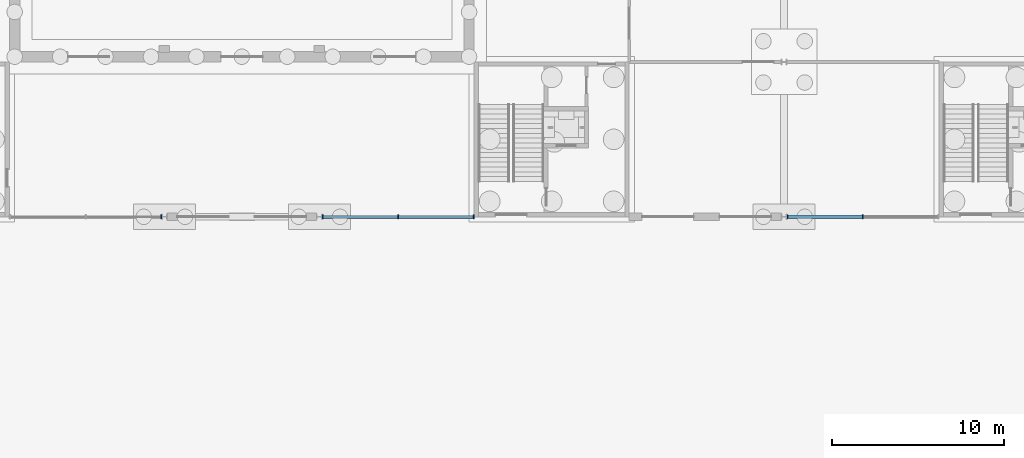
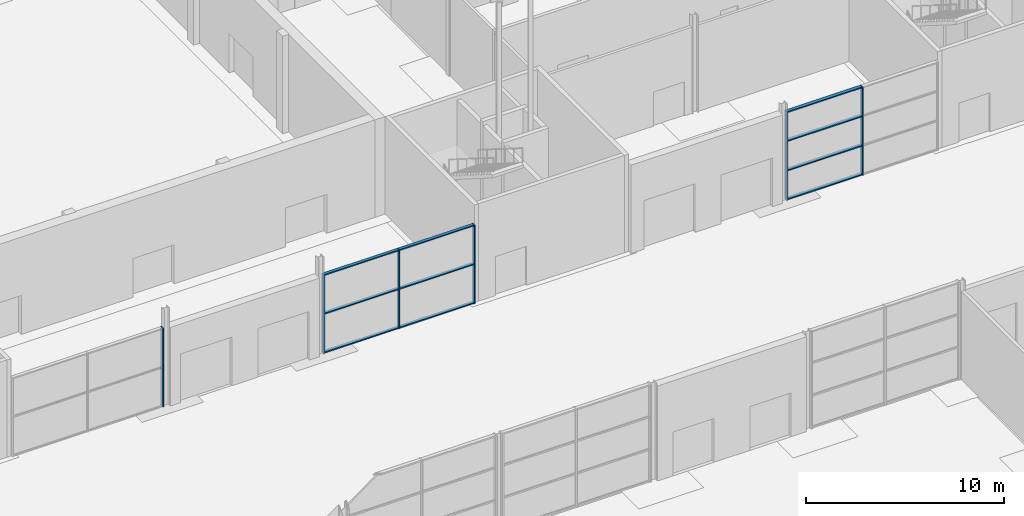
# One storey, part 49 of 97: 16 members, 3 elements without a shape of their own.
"""IFC4 building model written with IfcOpenShell, lengths in metres."""

import ifcopenshell
import ifcopenshell.guid

model = None  # the IFC model being written
_history = None  # IfcOwnerHistory: only IFC2X3 demands one
_inside = {}  # id of a spatial element -> (the spatial element, [elements in it])
_under = {}  # id of a project, library or spatial element -> (it, [spatial elements below it])
_declared = {}  # id of a project -> (the project, [libraries it declares])
_typed = {}  # id of a type object -> (the type object, [elements of that type])
_made_of = {}  # id of a material, layer set ... -> (it, [elements and type objects made of it])


def new_model(schema):
    """Start an empty IFC model of exactly this schema.

    Asked for "IFC4X3", IfcOpenShell would pick the latest addendum, in which some entities
    have other attributes; the version numbers below select the first issue.
    IFC2X3 requires an IfcOwnerHistory on every rooted entity: one is made here for all.
    """
    global model, _history
    if schema == "IFC4X3":
        model = ifcopenshell.file(schema_version=(4, 3, 0, 0))
    else:
        model = ifcopenshell.file(schema=schema)
    _inside.clear()
    _under.clear()
    _declared.clear()
    _typed.clear()
    _made_of.clear()
    _history = None
    if model.schema == "IFC2X3":
        org = make("IfcOrganization", Name="unknown")
        user = make(
            "IfcPersonAndOrganization",
            ThePerson=make("IfcPerson", FamilyName="unknown"),
            TheOrganization=org,
        )
        app = make(
            "IfcApplication",
            ApplicationDeveloper=org,
            Version="unknown",
            ApplicationFullName="unknown",
            ApplicationIdentifier="unknown",
        )
        _history = make(
            "IfcOwnerHistory",
            OwningUser=user,
            OwningApplication=app,
            ChangeAction="ADDED",
            CreationDate=0,
        )
    return model


def make(cls, **values):
    """One entity of the class cls with the attributes given. An attribute that is None is left unset."""
    return model.create_entity(
        cls, **{name: value for name, value in values.items() if value is not None}
    )


def rooted(cls, **values):
    """An entity with a GlobalId (a new one), such as an element, a storey or a relation."""
    return make(cls, GlobalId=ifcopenshell.guid.new(), OwnerHistory=_history, **values)


def si_unit(unit_type, name, prefix=None):
    """IfcSIUnit, for example si_unit("LENGTHUNIT", "METRE", prefix="MILLI")."""
    return make("IfcSIUnit", UnitType=unit_type, Prefix=prefix, Name=name)


def assignment(units):
    """IfcUnitAssignment: the units of a project."""
    return None if units is None else make("IfcUnitAssignment", Units=units)


def point(xyz):
    """IfcCartesianPoint."""
    return None if xyz is None else make("IfcCartesianPoint", Coordinates=xyz)


def direction(xyz):
    """IfcDirection."""
    return None if xyz is None else make("IfcDirection", DirectionRatios=xyz)


def frame(location, z_axis=None, x_axis=None):
    """IfcAxis2Placement3D, a coordinate frame: its origin and axes. An axis left out is left unset."""
    return make(
        "IfcAxis2Placement3D",
        Location=point(location),
        Axis=direction(z_axis),
        RefDirection=direction(x_axis),
    )


def frame_2d(location, x_axis=None):
    """IfcAxis2Placement2D, a coordinate frame in the plane: its origin and x axis."""
    return make(
        "IfcAxis2Placement2D", Location=point(location), RefDirection=direction(x_axis)
    )


def origin():
    """The frame at (0, 0, 0) with its axes left unset."""
    return frame((0.0, 0.0, 0.0))


def origin_2d():
    """The frame at (0, 0) in the plane with its x axis left unset."""
    return frame_2d((0.0, 0.0))


def place(relative_to, where):
    """IfcLocalPlacement: puts the frame where relative to a parent placement (None: the world)."""
    return make(
        "IfcLocalPlacement", PlacementRelTo=relative_to, RelativePlacement=where
    )


def context(
    kind, dimensions, precision=None, world=None, true_north=None, identifier=None
):
    """IfcGeometricRepresentationContext, for example the 3D "Model" context."""
    return make(
        "IfcGeometricRepresentationContext",
        ContextIdentifier=identifier,
        ContextType=kind,
        CoordinateSpaceDimension=dimensions,
        Precision=precision,
        WorldCoordinateSystem=world,
        TrueNorth=true_north,
    )


def subcontext(parent, identifier, kind, view, scale=None):
    """IfcGeometricRepresentationSubContext, for example "Body" below "Model"."""
    return make(
        "IfcGeometricRepresentationSubContext",
        ContextIdentifier=identifier,
        ContextType=kind,
        ParentContext=parent,
        TargetScale=scale,
        TargetView=view,
    )


def project(units=None, contexts=None):
    """IfcProject with its units and contexts."""
    return rooted(
        "IfcProject",
        Name="project",
        RepresentationContexts=contexts,
        UnitsInContext=assignment(units),
    )


def spatial(cls, under=None, at=None, **own):
    """A site, building, storey or space (cls), placed at a placement, below another one or the project."""
    s = rooted(cls, ObjectPlacement=at, **own)
    if under is not None:
        _under.setdefault(under.id(), (under, []))[1].append(s)
    return s


def profile(cls, at=None, kind="AREA", **sizes):
    """A parametric profile (cls). Its sizes go by their IFC names, for example OverallWidth=200.0."""
    return make(cls, ProfileType=kind, Position=at, **sizes)


def rectangle(**sizes):
    """IfcRectangleProfileDef."""
    return profile("IfcRectangleProfileDef", **sizes)


def extrude(swept, where, along, depth):
    """IfcExtrudedAreaSolid: the profile swept, set in the frame where, extruded along a direction by depth."""
    return make(
        "IfcExtrudedAreaSolid",
        SweptArea=swept,
        Position=where,
        ExtrudedDirection=direction(along),
        Depth=depth,
    )


def shape(context_of_items, identifier, shape_type, items):
    """IfcShapeRepresentation: the items that make up one representation, for example the "Body"."""
    return make(
        "IfcShapeRepresentation",
        ContextOfItems=context_of_items,
        RepresentationIdentifier=identifier,
        RepresentationType=shape_type,
        Items=items,
    )


def material(Name=None, Category=None):
    """IfcMaterial."""
    return make("IfcMaterial", Name=Name, Category=Category)


def layer(
    of_material, thickness, ventilated=None, Name=None, Category=None, Priority=None
):
    """IfcMaterialLayer: one layer of a wall or slab, of a material (None: an air gap)."""
    return make(
        "IfcMaterialLayer",
        Material=of_material,
        LayerThickness=thickness,
        IsVentilated=ventilated,
        Name=Name,
        Category=Category,
        Priority=Priority,
    )


def layer_set(layers, Name=None):
    """IfcMaterialLayerSet."""
    return make("IfcMaterialLayerSet", MaterialLayers=layers, LayerSetName=Name)


def material_profile(
    of_material, cross_section, Name=None, Category=None, Priority=None
):
    """IfcMaterialProfile: a cross section and its material."""
    return make(
        "IfcMaterialProfile",
        Name=Name,
        Material=of_material,
        Profile=cross_section,
        Priority=Priority,
        Category=Category,
    )


def profile_set(profiles, Name=None, composite=None):
    """IfcMaterialProfileSet."""
    return make(
        "IfcMaterialProfileSet",
        Name=Name,
        MaterialProfiles=profiles,
        CompositeProfile=composite,
    )


def made_of(thing, what):
    """Note that an element or type object is made of a material, layer set ...; save() writes the relation."""
    if what is not None:
        _made_of.setdefault(what.id(), (what, []))[1].append(thing)
    return thing


def type_object(cls, material=None, **own):
    """A type object (cls), such as IfcWallType, which elements share."""
    return made_of(rooted(cls, **own), material)


def element(
    cls,
    number,
    at=None,
    inside=None,
    cuts=None,
    type_object=None,
    material=None,
    context=None,
    identifier="Body",
    shape_type=None,
    held_by="IfcProductDefinitionShape",
    body=None,
    shapes=None,
    **own,
):
    """One element of the class cls, such as IfcWall. Its Tag is "e" and its number.

    at: its placement. inside: the storey or other place that contains it. cuts: it is an
    opening in that element (IfcRelVoidsElement). A single representation is given by context,
    identifier, shape_type and body (its items); several are given by shapes. held_by: the class
    of the entity that holds the representations. save() writes the other relations.
    """
    e = rooted(cls, Tag="e%d" % number, ObjectPlacement=at, **own)
    if body is not None:
        shapes = [shape(context, identifier, shape_type, body)]
    if shapes is not None:
        e.Representation = make(held_by, Representations=shapes)
    if inside is not None:
        _inside.setdefault(inside.id(), (inside, []))[1].append(e)
    if cuts is not None:
        rooted(
            "IfcRelVoidsElement", RelatingBuildingElement=cuts, RelatedOpeningElement=e
        )
    if type_object is not None:
        _typed.setdefault(type_object.id(), (type_object, []))[1].append(e)
    return made_of(e, material)


def aggregate(whole, parts):
    """IfcRelAggregates: a whole, such as a stair, and the parts it consists of."""
    return rooted("IfcRelAggregates", RelatingObject=whole, RelatedObjects=parts)


def save(model, path):
    """Write the relations noted so far, then the file.

    IfcRelAggregates (storeys below a building ...), IfcRelContainedInSpatialStructure (elements
    in a storey), IfcRelDefinesByType, IfcRelAssociatesMaterial and IfcRelDeclares: one each for
    every whole, place, type object, material and project.
    """
    for whole, parts in _under.values():
        aggregate(whole, parts)
    for where, things in _inside.values():
        rooted(
            "IfcRelContainedInSpatialStructure",
            RelatedElements=things,
            RelatingStructure=where,
        )
    for kind, things in _typed.values():
        rooted("IfcRelDefinesByType", RelatedObjects=things, RelatingType=kind)
    for what, things in _made_of.values():
        rooted("IfcRelAssociatesMaterial", RelatedObjects=things, RelatingMaterial=what)
    for by, libraries in _declared.values():
        rooted("IfcRelDeclares", RelatingContext=by, RelatedDefinitions=libraries)
    model.write(path)


model = new_model("IFC4")

# Units and contexts
model_context = context("Model", 3, precision=1e-05, world=origin(), true_north=direction((0.0, 1.0)))
body_context = subcontext(model_context, "Body", "Model", "MODEL_VIEW")
ifc_project = project(units=[si_unit("LENGTHUNIT", "METRE"), si_unit("AREAUNIT", "SQUARE_METRE"), si_unit("VOLUMEUNIT", "CUBIC_METRE"), si_unit("PLANEANGLEUNIT", "RADIAN"), si_unit("MASSUNIT", "GRAM", prefix="KILO")], contexts=[model_context])

# Site, building, storey
site_placement = place(None, origin())
site = spatial("IfcSite", under=ifc_project, at=site_placement, CompositionType="ELEMENT")
building_placement = place(site_placement, origin())
building = spatial("IfcBuilding", under=site, at=building_placement, Name="Corbel Yard City Hall", CompositionType="ELEMENT")
storey_placement = place(building_placement, origin())
storey = spatial("IfcBuildingStorey", under=building, at=storey_placement, Name="L00", CompositionType="ELEMENT", Elevation=0.0)

# Curtain wall, members
ifc_material = material(Name="Aluminium extrusion", Category="aluminium")
ifc_layer_1 = layer(ifc_material, 0.25)
ifc_layer_set_1 = layer_set([ifc_layer_1], Name="Aluminium extrusion")
curtain_wall_type_1 = type_object("IfcCurtainWallType", Name="CW4", PredefinedType="USERDEFINED", material=ifc_layer_set_1)
curtain_wall_1_placement = place(storey_placement, origin())
curtain_wall_1 = element("IfcCurtainWall", 1, at=curtain_wall_1_placement, inside=storey, type_object=curtain_wall_type_1, Name="Curtain wall CW4 L00", ObjectType="CURTAIN WALL", PredefinedType="USERDEFINED")
ifc_material_profile_1 = material_profile(ifc_material, rectangle(XDim=0.25, YDim=0.06494140625, at=origin_2d()), Name="250x65")
ifc_profile_set_1 = profile_set([ifc_material_profile_1], Name="Aluminium extrusion")
member_type_1 = type_object("IfcMemberType", Name="ML4", PredefinedType="MULLION", material=ifc_profile_set_1)
member_1_placement = place(storey_placement, frame((162.18994140625, 45.0, 0.0), z_axis=(0.0, 0.0, 1.0), x_axis=(0.0, 1.0, 0.0)))
member_1 = element("IfcMember", 2, at=member_1_placement, type_object=member_type_1, Name="CW4 mullion 1", PredefinedType="MULLION", context=body_context, shape_type="SweptSolid", body=[
    extrude(rectangle(XDim=0.25, YDim=0.06494140625, at=origin_2d()), origin(), (0.0, 0.0, 1.0), 5.444091796875),
])
member_2_placement = place(storey_placement, frame((166.578857421875, 45.0, 0.0), z_axis=(0.0, 0.0, 1.0), x_axis=(0.0, 1.0, 0.0)))
member_2 = element("IfcMember", 3, at=member_2_placement, type_object=member_type_1, Name="CW4 mullion 2", PredefinedType="MULLION", context=body_context, shape_type="SweptSolid", body=[
    extrude(rectangle(XDim=0.25, YDim=0.06494140625, at=origin_2d()), origin(), (0.0, 0.0, 1.0), 5.444091796875),
])

# Curtain wall, member
ifc_layer_2 = layer(ifc_material, 0.219970703125)
ifc_layer_set_2 = layer_set([ifc_layer_2], Name="Aluminium extrusion")
curtain_wall_type_2 = type_object("IfcCurtainWallType", Name="CW5", PredefinedType="USERDEFINED", material=ifc_layer_set_2)
curtain_wall_2_placement = place(storey_placement, origin())
curtain_wall_2 = element("IfcCurtainWall", 4, at=curtain_wall_2_placement, inside=storey, type_object=curtain_wall_type_2, Name="Curtain wall CW5 L00", ObjectType="CURTAIN WALL", PredefinedType="USERDEFINED")
ifc_material_profile_2 = material_profile(ifc_material, rectangle(XDim=0.219970703125, YDim=0.06494140625, at=origin_2d()), Name="220x65")
ifc_profile_set_2 = profile_set([ifc_material_profile_2], Name="Aluminium extrusion")
member_type_2 = type_object("IfcMemberType", Name="ML5", PredefinedType="MULLION", material=ifc_profile_set_2)
member_3_placement = place(storey_placement, frame((125.81005859375, 45.0, 0.0), z_axis=(0.0, 0.0, 1.0), x_axis=(0.0, 1.0, 0.0)))
member_3 = element("IfcMember", 5, at=member_3_placement, type_object=member_type_2, Name="CW5 mullion 3", PredefinedType="MULLION", context=body_context, shape_type="SweptSolid", body=[
    extrude(rectangle(XDim=0.219970703125, YDim=0.06494140625, at=origin_2d()), origin(), (0.0, 0.0, 1.0), 4.85009765625),
])
aggregate(curtain_wall_2, [member_3])

# Curtain wall, members
curtain_wall_3_placement = place(storey_placement, origin())
curtain_wall_3 = element("IfcCurtainWall", 6, at=curtain_wall_3_placement, inside=storey, type_object=curtain_wall_type_2, Name="Curtain wall CW5 L00", ObjectType="CURTAIN WALL", PredefinedType="USERDEFINED")
member_4_placement = place(storey_placement, frame((135.18994140625, 45.0, 0.0), z_axis=(0.0, 0.0, 1.0), x_axis=(0.0, 1.0, 0.0)))
member_4 = element("IfcMember", 7, at=member_4_placement, type_object=member_type_2, Name="CW5 mullion 1", PredefinedType="MULLION", context=body_context, shape_type="SweptSolid", body=[
    extrude(rectangle(XDim=0.219970703125, YDim=0.06494140625, at=origin_2d()), origin(), (0.0, 0.0, 1.0), 4.85009765625),
])
member_5_placement = place(storey_placement, frame((139.578857421875, 45.0, 0.0), z_axis=(0.0, 0.0, 1.0), x_axis=(0.0, 1.0, 0.0)))
member_5 = element("IfcMember", 8, at=member_5_placement, type_object=member_type_2, Name="CW5 mullion 2", PredefinedType="MULLION", context=body_context, shape_type="SweptSolid", body=[
    extrude(rectangle(XDim=0.219970703125, YDim=0.06494140625, at=origin_2d()), origin(), (0.0, 0.0, 1.0), 4.85009765625),
])
member_6_placement = place(storey_placement, frame((143.967529296875, 45.0, 0.0), z_axis=(0.0, 0.0, 1.0), x_axis=(0.0, 1.0, 0.0)))
member_6 = element("IfcMember", 9, at=member_6_placement, type_object=member_type_2, Name="CW5 mullion 3", PredefinedType="MULLION", context=body_context, shape_type="SweptSolid", body=[
    extrude(rectangle(XDim=0.219970703125, YDim=0.06494140625, at=origin_2d()), origin(), (0.0, 0.0, 1.0), 4.85009765625),
])

# Member
ifc_material_profile_3 = material_profile(ifc_material, rectangle(XDim=0.199951171875, YDim=0.06494140625, at=origin_2d()), Name="200x65")
ifc_profile_set_3 = profile_set([ifc_material_profile_3], Name="Aluminium extrusion")
member_type_3 = type_object("IfcMemberType", Name="TR4", PredefinedType="USERDEFINED", material=ifc_profile_set_3)
member_7_placement = place(storey_placement, frame((162.222412109375, 45.0, 0.032470703125), z_axis=(1.0, 0.0, 0.0), x_axis=(0.0, 1.0, 0.0)))
member_7 = element("IfcMember", 10, at=member_7_placement, type_object=member_type_3, Name="CW4 transom 1.1", ObjectType="TRANSOM", PredefinedType="USERDEFINED", context=body_context, shape_type="SweptSolid", body=[
    extrude(rectangle(XDim=0.199951171875, YDim=0.06494140625, at=origin_2d()), origin(), (0.0, 0.0, 1.0), 4.32373046875),
])

member_8_placement = place(storey_placement, frame((162.222412109375, 45.0, 1.814697265625), z_axis=(1.0, 0.0, 0.0), x_axis=(0.0, 1.0, 0.0)))
member_8 = element("IfcMember", 11, at=member_8_placement, type_object=member_type_3, Name="CW4 transom 1.2", ObjectType="TRANSOM", PredefinedType="USERDEFINED", context=body_context, shape_type="SweptSolid", body=[
    extrude(rectangle(XDim=0.199951171875, YDim=0.06494140625, at=origin_2d()), origin(), (0.0, 0.0, 1.0), 4.32373046875),
])

member_9_placement = place(storey_placement, frame((162.222412109375, 45.0, 3.62939453125), z_axis=(1.0, 0.0, 0.0), x_axis=(0.0, 1.0, 0.0)))
member_9 = element("IfcMember", 12, at=member_9_placement, type_object=member_type_3, Name="CW4 transom 1.3", ObjectType="TRANSOM", PredefinedType="USERDEFINED", context=body_context, shape_type="SweptSolid", body=[
    extrude(rectangle(XDim=0.199951171875, YDim=0.06494140625, at=origin_2d()), origin(), (0.0, 0.0, 1.0), 4.32373046875),
])

member_10_placement = place(storey_placement, frame((162.222412109375, 45.0, 5.41162109375), z_axis=(1.0, 0.0, 0.0), x_axis=(0.0, 1.0, 0.0)))
member_10 = element("IfcMember", 13, at=member_10_placement, type_object=member_type_3, Name="CW4 transom 1.4", ObjectType="TRANSOM", PredefinedType="USERDEFINED", context=body_context, shape_type="SweptSolid", body=[
    extrude(rectangle(XDim=0.199951171875, YDim=0.06494140625, at=origin_2d()), origin(), (0.0, 0.0, 1.0), 4.32373046875),
])

aggregate(curtain_wall_1, [member_1, member_2, member_7, member_8, member_9, member_10])

ifc_material_profile_4 = material_profile(ifc_material, rectangle(XDim=0.179931640625, YDim=0.06494140625, at=origin_2d()), Name="180x65")
ifc_profile_set_4 = profile_set([ifc_material_profile_4], Name="Aluminium extrusion")
member_type_4 = type_object("IfcMemberType", Name="TR5", PredefinedType="USERDEFINED", material=ifc_profile_set_4)
member_11_placement = place(storey_placement, frame((135.222412109375, 45.0, 0.032470703125), z_axis=(1.0, 0.0, 0.0), x_axis=(0.0, 1.0, 0.0)))
member_11 = element("IfcMember", 14, at=member_11_placement, type_object=member_type_4, Name="CW5 transom 1.1", ObjectType="TRANSOM", PredefinedType="USERDEFINED", context=body_context, shape_type="SweptSolid", body=[
    extrude(rectangle(XDim=0.179931640625, YDim=0.06494140625, at=origin_2d()), origin(), (0.0, 0.0, 1.0), 4.32373046875),
])

member_12_placement = place(storey_placement, frame((135.222412109375, 45.0, 2.425048828125), z_axis=(1.0, 0.0, 0.0), x_axis=(0.0, 1.0, 0.0)))
member_12 = element("IfcMember", 15, at=member_12_placement, type_object=member_type_4, Name="CW5 transom 1.2", ObjectType="TRANSOM", PredefinedType="USERDEFINED", context=body_context, shape_type="SweptSolid", body=[
    extrude(rectangle(XDim=0.179931640625, YDim=0.06494140625, at=origin_2d()), origin(), (0.0, 0.0, 1.0), 4.32373046875),
])

member_13_placement = place(storey_placement, frame((135.222412109375, 45.0, 4.8173828125), z_axis=(1.0, 0.0, 0.0), x_axis=(0.0, 1.0, 0.0)))
member_13 = element("IfcMember", 16, at=member_13_placement, type_object=member_type_4, Name="CW5 transom 1.3", ObjectType="TRANSOM", PredefinedType="USERDEFINED", context=body_context, shape_type="SweptSolid", body=[
    extrude(rectangle(XDim=0.179931640625, YDim=0.06494140625, at=origin_2d()), origin(), (0.0, 0.0, 1.0), 4.32373046875),
])

member_14_placement = place(storey_placement, frame((139.611328125, 45.0, 0.032470703125), z_axis=(1.0, 0.0, 0.0), x_axis=(0.0, 1.0, 0.0)))
member_14 = element("IfcMember", 17, at=member_14_placement, type_object=member_type_4, Name="CW5 transom 2.1", ObjectType="TRANSOM", PredefinedType="USERDEFINED", context=body_context, shape_type="SweptSolid", body=[
    extrude(rectangle(XDim=0.179931640625, YDim=0.06494140625, at=origin_2d()), origin(), (0.0, 0.0, 1.0), 4.32373046875),
])

member_15_placement = place(storey_placement, frame((139.611328125, 45.0, 2.425048828125), z_axis=(1.0, 0.0, 0.0), x_axis=(0.0, 1.0, 0.0)))
member_15 = element("IfcMember", 18, at=member_15_placement, type_object=member_type_4, Name="CW5 transom 2.2", ObjectType="TRANSOM", PredefinedType="USERDEFINED", context=body_context, shape_type="SweptSolid", body=[
    extrude(rectangle(XDim=0.179931640625, YDim=0.06494140625, at=origin_2d()), origin(), (0.0, 0.0, 1.0), 4.32373046875),
])

member_16_placement = place(storey_placement, frame((139.611328125, 45.0, 4.8173828125), z_axis=(1.0, 0.0, 0.0), x_axis=(0.0, 1.0, 0.0)))
member_16 = element("IfcMember", 19, at=member_16_placement, type_object=member_type_4, Name="CW5 transom 2.3", ObjectType="TRANSOM", PredefinedType="USERDEFINED", context=body_context, shape_type="SweptSolid", body=[
    extrude(rectangle(XDim=0.179931640625, YDim=0.06494140625, at=origin_2d()), origin(), (0.0, 0.0, 1.0), 4.32373046875),
])

aggregate(curtain_wall_3, [member_4, member_5, member_6, member_11, member_12, member_13, member_14, member_15, member_16])

save(model, "model.ifc")
